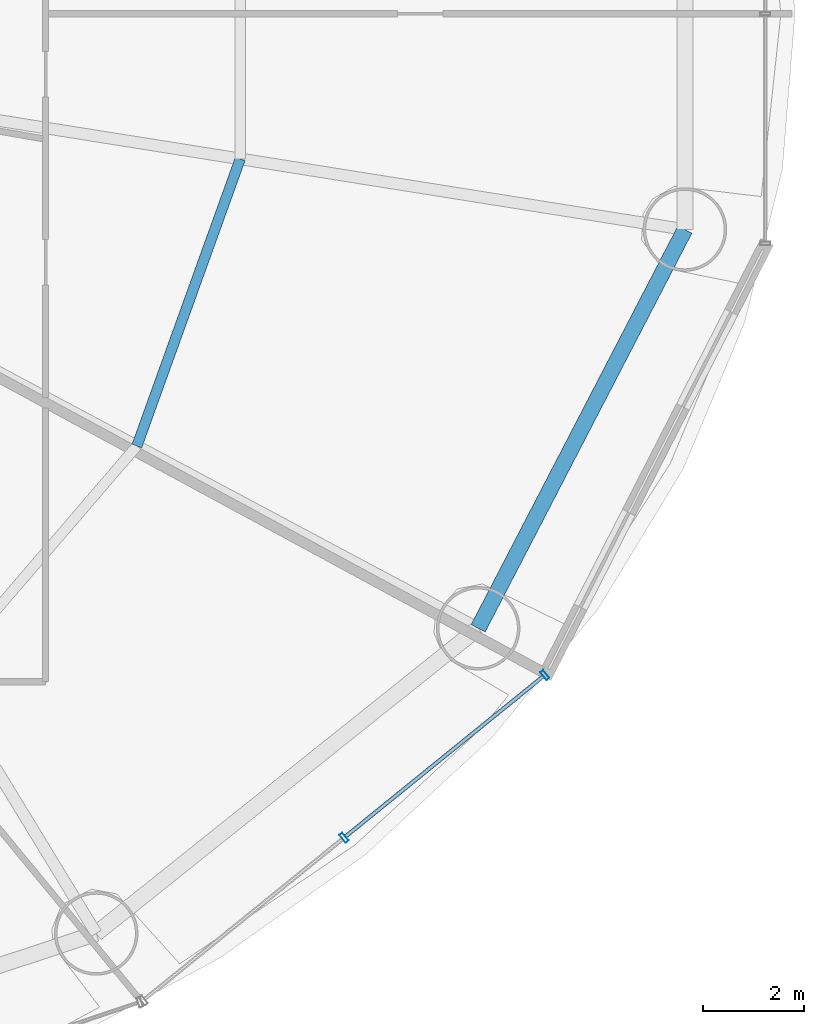
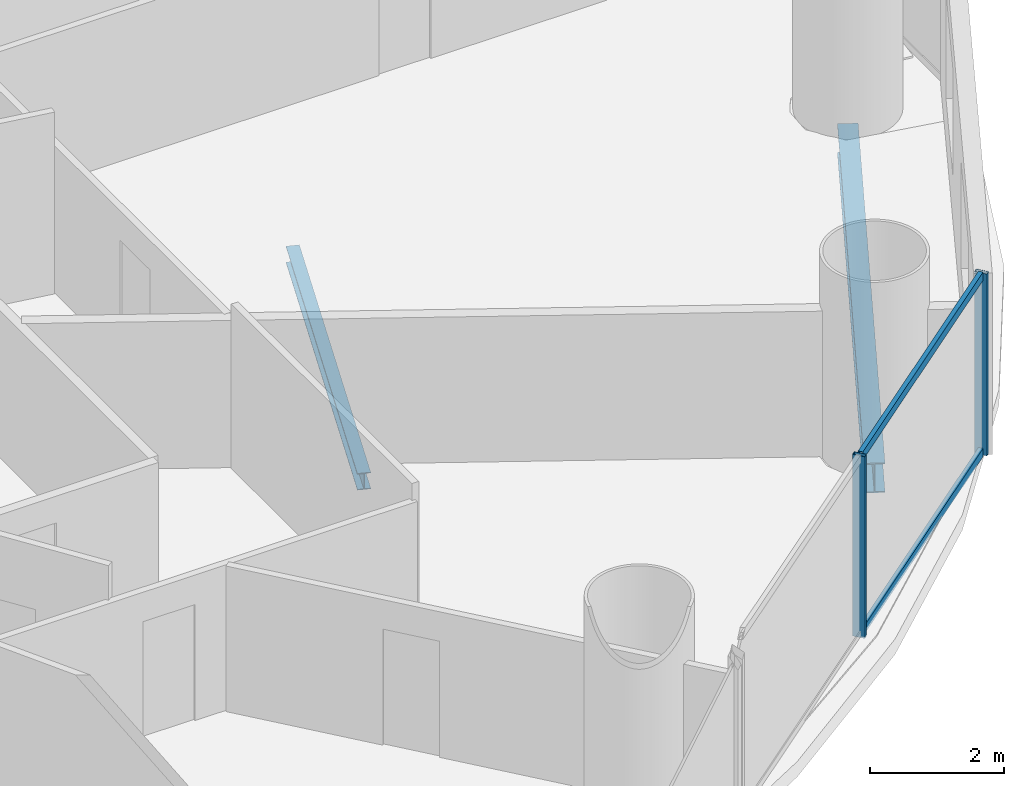
# One storey, part 12 of 29: 4 members, 2 beams, 1 element without a shape of its own.
"""IFC4 building model written with IfcOpenShell, lengths in metres."""

from ifc_helpers import new_model, si_unit, direction, frame, origin, origin_2d, place, context, subcontext, project, spatial, hollow_rectangle, i_section, extrude, source, transform, mapped, material, material_profile, profile_set, type_object, element, aggregate, save


model = new_model("IFC4")

# Units and contexts
model_context = context("Model", 3, precision=1e-05, world=origin(), true_north=direction((-0.2419218956, 0.970295726276)))
body_context = subcontext(model_context, "Body", "Model", "MODEL_VIEW")
ifc_project = project(units=[si_unit("LENGTHUNIT", "METRE"), si_unit("AREAUNIT", "SQUARE_METRE"), si_unit("VOLUMEUNIT", "CUBIC_METRE"), si_unit("PLANEANGLEUNIT", "RADIAN"), si_unit("MASSUNIT", "GRAM", prefix="KILO")], contexts=[model_context])

# Site, building, storey
site_placement = place(None, origin())
site = spatial("IfcSite", under=ifc_project, at=site_placement, CompositionType="ELEMENT")
building_placement = place(site_placement, origin())
building = spatial("IfcBuilding", under=site, at=building_placement, Name="Cobrevalo Terracotta Tower", CompositionType="ELEMENT")
storey_placement = place(building_placement, frame((0.0, 0.0, 52.800048828125)))
storey = spatial("IfcBuildingStorey", under=building, at=storey_placement, Name="L13", CompositionType="ELEMENT", Elevation=52.800048828125)

# Beams
ifc_material_1 = material(Name="Steel S355", Category="steel")
ifc_material_profile_1 = material_profile(ifc_material_1, i_section(OverallWidth=0.2041015625, OverallDepth=0.305908203125, WebThickness=0.008544921875, FlangeThickness=0.0146484375, at=origin_2d()), Name="W 310x67")
ifc_profile_set_1 = profile_set([ifc_material_profile_1], Name="Steel S355")
beam_type_1 = type_object("IfcBeamType", Name="Structural Joist W 310x67 (Steel S355)", PredefinedType="JOIST", material=ifc_profile_set_1)
beam_1_placement = place(storey_placement, frame((53.997802734375, 18.26025390625, -0.43310546875), z_axis=(0.338672151116, 0.940904444701, 0.0), x_axis=(-0.940904444701, 0.338672151116, 0.0)))
element("IfcBeam", 1, at=beam_1_placement, inside=storey, type_object=beam_type_1, Name="L13 circumferential secondary floor joist 15", PredefinedType="JOIST", context=body_context, shape_type="SweptSolid", body=[
    extrude(i_section(OverallWidth=0.2041015625, OverallDepth=0.305908203125, WebThickness=0.008544921875, FlangeThickness=0.0146484375, at=origin_2d()), origin(), (0.0, 0.0, 1.0), 6.029296875),
])
ifc_material_profile_2 = material_profile(ifc_material_1, i_section(OverallWidth=0.31201171875, OverallDepth=0.54296875, WebThickness=0.0126953125, FlangeThickness=0.020263671875, at=origin_2d()), Name="W 530x150")
ifc_profile_set_2 = profile_set([ifc_material_profile_2], Name="Steel S355")
beam_type_2 = type_object("IfcBeamType", Name="Structural Spandrel W 530x150 (Steel S355)", PredefinedType="SPANDREL", material=ifc_profile_set_2)
beam_2_placement = place(storey_placement, frame((60.74072265625, 14.660888671875, -0.551513671875), z_axis=(0.460285838799, 0.88777077368, 0.0), x_axis=(-0.88777077368, 0.460285838799, 0.0)))
element("IfcBeam", 2, at=beam_2_placement, inside=storey, type_object=beam_type_2, Name="L13 perimeter ring spandrel 15", PredefinedType="SPANDREL", context=body_context, shape_type="SweptSolid", body=[
    extrude(i_section(OverallWidth=0.31201171875, OverallDepth=0.54296875, WebThickness=0.0126953125, FlangeThickness=0.020263671875, at=origin_2d()), origin(), (0.0, 0.0, 1.0), 8.8720703125),
])

# Curtain wall, members
ifc_material_2 = material(Name="Anodized aluminium", Category="aluminium")
curtain_wall_type = type_object("IfcCurtainWallType", Name="Lower-tower unitised acoustic low-E curtain wall CW-U1", PredefinedType="NOTDEFINED", material=ifc_material_2)
curtain_wall_placement = place(storey_placement, origin())
curtain_wall = element("IfcCurtainWall", 3, at=curtain_wall_placement, inside=storey, type_object=curtain_wall_type, Name="L13 curtain wall CW-L13-S14", PredefinedType="NOTDEFINED")
ifc_material_profile_3 = material_profile(ifc_material_2, hollow_rectangle(XDim=0.074951171875, YDim=0.199951171875, WallThickness=0.0048828125, at=origin_2d()), Name="CWM 75x200")
ifc_profile_set_3 = profile_set([ifc_material_profile_3], Name="Anodized aluminium")
member_type_1 = type_object("IfcMemberType", Name="Lower/mid tower unitised mullion 75x200", PredefinedType="MULLION", material=ifc_profile_set_3)
shared_shape_1 = source(origin(), body_context, "Body", "SweptSolid", [
    extrude(hollow_rectangle(XDim=0.074951171875, YDim=0.199951171875, WallThickness=0.0048828125, at=origin_2d()), origin(), (0.0, 0.0, 1.0), 3.320068359375),
])
member_1_placement = place(storey_placement, frame((58.09130859375, 10.523193359375, 0.0), z_axis=(0.0, 0.0, 1.0), x_axis=(0.777003153187, 0.629496703675, 0.0)))
member_1 = element("IfcMember", 4, at=member_1_placement, type_object=member_type_1, Name="CW-L13-S14 vertical mullion 02", PredefinedType="MULLION", context=body_context, shape_type="MappedRepresentation", body=[
    mapped(shared_shape_1, transform((0.0, 0.0, 0.0), scale=1.0)),
])
member_2_placement = place(storey_placement, frame((62.056640625, 13.735595703125, 0.0), z_axis=(0.0, 0.0, 1.0), x_axis=(0.777003153187, 0.629496703675, 0.0)))
member_2 = element("IfcMember", 5, at=member_2_placement, type_object=member_type_1, Name="CW-L13-S14 vertical mullion 03", PredefinedType="MULLION", context=body_context, shape_type="MappedRepresentation", body=[
    mapped(shared_shape_1, transform((0.0, 0.0, 0.0), scale=1.0)),
])
ifc_material_profile_4 = material_profile(ifc_material_2, hollow_rectangle(XDim=0.074951171875, YDim=0.14990234375, WallThickness=0.00439453125, at=origin_2d()), Name="CWT 75x150")
ifc_profile_set_4 = profile_set([ifc_material_profile_4], Name="Anodized aluminium")
member_type_2 = type_object("IfcMemberType", Name="Tower unitised aluminium transom 75x150", PredefinedType="USERDEFINED", material=ifc_profile_set_4)
shared_shape_2 = source(origin(), body_context, "Body", "SweptSolid", [
    extrude(hollow_rectangle(XDim=0.074951171875, YDim=0.14990234375, WallThickness=0.00439453125, at=origin_2d()), origin(), (0.0, 0.0, 1.0), 5.0234375),
])
member_3_placement = place(storey_placement, frame((58.122314453125, 10.54833984375, 0.050048828125), z_axis=(0.777022991593, 0.629472215857, 0.0), x_axis=(-0.629472215857, 0.777022991593, 0.0)))
member_3 = element("IfcMember", 6, at=member_3_placement, type_object=member_type_2, Name="CW-L13-S14 transom B02-T1", ObjectType="TRANSOM", PredefinedType="USERDEFINED", context=body_context, shape_type="MappedRepresentation", body=[
    mapped(shared_shape_2, transform((0.0, 0.0, 0.0), scale=1.0)),
])
member_4_placement = place(storey_placement, frame((58.122314453125, 10.54833984375, 3.27001953125), z_axis=(0.777022991593, 0.629472215857, 0.0), x_axis=(-0.629472215857, 0.777022991593, 0.0)))
member_4 = element("IfcMember", 7, at=member_4_placement, type_object=member_type_2, Name="CW-L13-S14 transom B02-T2", ObjectType="TRANSOM", PredefinedType="USERDEFINED", context=body_context, shape_type="MappedRepresentation", body=[
    mapped(shared_shape_2, transform((0.0, 0.0, 0.0), scale=1.0)),
])
aggregate(curtain_wall, [member_1, member_2, member_3, member_4])

save(model, "model.ifc")
